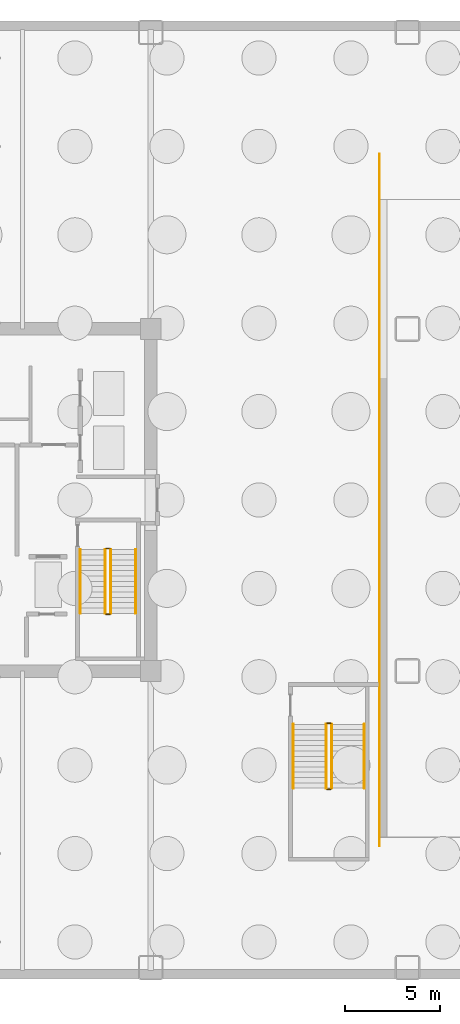
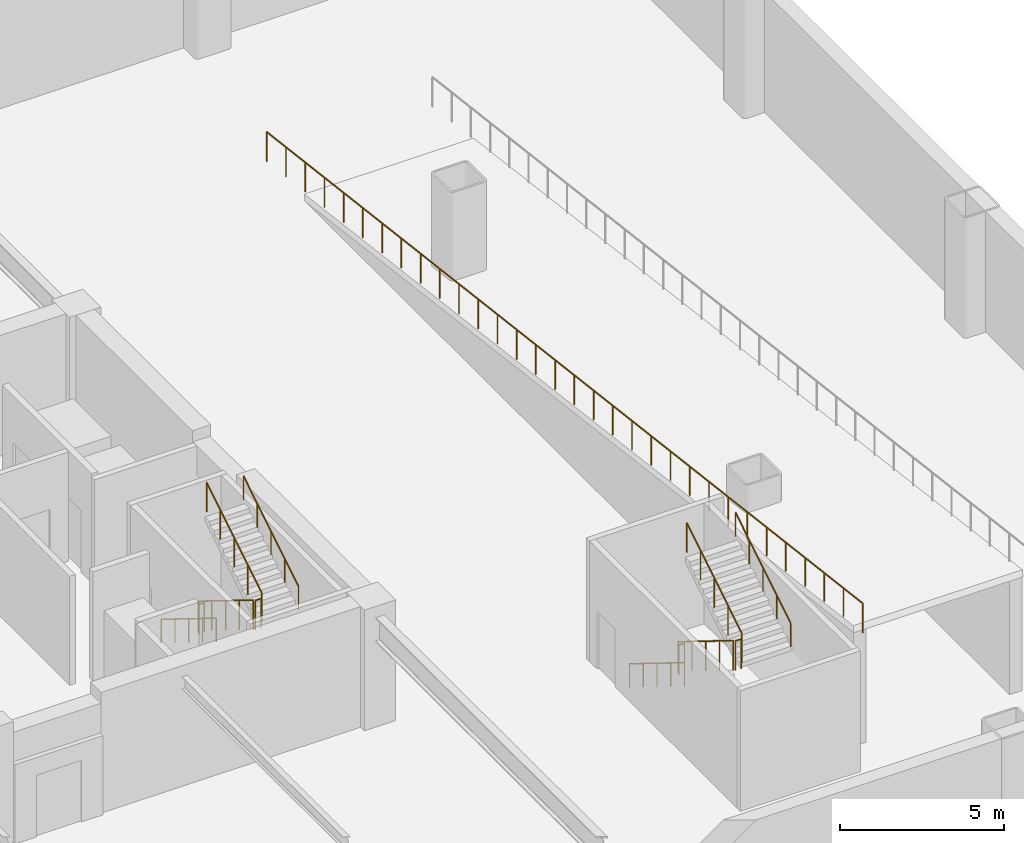
# One storey, part 8 of 11: 13 railings.
"""IFC4 building model written with IfcOpenShell, lengths in metres."""

from ifc_helpers import new_model, si_unit, direction, frame, origin, origin_2d, place, context, subcontext, project, spatial, circle, extrude, material, type_object, element, save


model = new_model("IFC4")

# Units and contexts
model_context = context("Model", 3, precision=1e-05, world=origin(), true_north=direction((0.0, 1.0)))
body_context = subcontext(model_context, "Body", "Model", "MODEL_VIEW")
ifc_project = project(units=[si_unit("LENGTHUNIT", "METRE"), si_unit("AREAUNIT", "SQUARE_METRE"), si_unit("VOLUMEUNIT", "CUBIC_METRE"), si_unit("PLANEANGLEUNIT", "RADIAN"), si_unit("MASSUNIT", "GRAM", prefix="KILO")], contexts=[model_context])

# Site, building, storey
site_placement = place(None, origin())
site = spatial("IfcSite", under=ifc_project, at=site_placement, CompositionType="ELEMENT")
building_placement = place(site_placement, origin())
building = spatial("IfcBuilding", under=site, at=building_placement, Name="Nefas-Gora Pilgrimage Tower", CompositionType="ELEMENT")
storey_placement = place(building_placement, frame((0.0, 0.0, -9.0)))
storey = spatial("IfcBuildingStorey", under=building, at=storey_placement, Name="B02", CompositionType="ELEMENT", Elevation=-9.0)

# Railings
ifc_material_1 = material(Name="Painted galvanised steel", Category="steel")
railing_type_1 = type_object("IfcRailingType", Name="RLG-RMP-1100", PredefinedType="GUARDRAIL", material=ifc_material_1)
railing_1_placement = place(storey_placement, frame((23.280029296875, 18.199951171875, 0.0)))
element("IfcRailing", 1, at=railing_1_placement, inside=storey, type_object=railing_type_1, Name="B02-B01 Sloped Vehicle Ramp Guardrail W", PredefinedType="GUARDRAIL", context=body_context, shape_type="SweptSolid", body=[
    extrude(circle(Radius=0.02392578125, at=origin_2d()), frame((0.0, 0.0, 1.09619140625), z_axis=(0.0, -0.992444713175, 0.122692670082), x_axis=(1.0, 0.0, 0.0)), (0.0, 0.0, 1.0), 36.677001953125),
    extrude(circle(Radius=0.02099609375, at=origin_2d()), origin(), (0.0, 0.0, 1.0), 1.072021484375),
    extrude(circle(Radius=0.02099609375, at=origin_2d()), frame((0.0, -1.174072265625, 0.145263671875)), (0.0, 0.0, 1.0), 1.072021484375),
    extrude(circle(Radius=0.02099609375, at=origin_2d()), frame((0.0, -2.348388671875, 0.290283203125)), (0.0, 0.0, 1.0), 1.072021484375),
    extrude(circle(Radius=0.02099609375, at=origin_2d()), frame((0.0, -3.5224609375, 0.435546875)), (0.0, 0.0, 1.0), 1.072021484375),
    extrude(circle(Radius=0.02099609375, at=origin_2d()), frame((0.0, -4.69677734375, 0.58056640625)), (0.0, 0.0, 1.0), 1.072021484375),
    extrude(circle(Radius=0.02099609375, at=origin_2d()), frame((0.0, -5.870849609375, 0.725830078125)), (0.0, 0.0, 1.0), 1.072021484375),
    extrude(circle(Radius=0.02099609375, at=origin_2d()), frame((0.0, -7.045166015625, 0.870849609375)), (0.0, 0.0, 1.0), 1.072021484375),
    extrude(circle(Radius=0.02099609375, at=origin_2d()), frame((0.0, -8.21923828125, 1.01611328125)), (0.0, 0.0, 1.0), 1.072021484375),
    extrude(circle(Radius=0.02099609375, at=origin_2d()), frame((0.0, -9.3935546875, 1.161376953125)), (0.0, 0.0, 1.0), 1.072021484375),
    extrude(circle(Radius=0.02099609375, at=origin_2d()), frame((0.0, -10.567626953125, 1.306396484375)), (0.0, 0.0, 1.0), 1.072021484375),
    extrude(circle(Radius=0.02099609375, at=origin_2d()), frame((0.0, -11.741943359375, 1.45166015625)), (0.0, 0.0, 1.0), 1.072021484375),
    extrude(circle(Radius=0.02099609375, at=origin_2d()), frame((0.0, -12.916015625, 1.5966796875)), (0.0, 0.0, 1.0), 1.072021484375),
    extrude(circle(Radius=0.02099609375, at=origin_2d()), frame((0.0, -14.09033203125, 1.741943359375)), (0.0, 0.0, 1.0), 1.072021484375),
    extrude(circle(Radius=0.02099609375, at=origin_2d()), frame((0.0, -15.264404296875, 1.88720703125)), (0.0, 0.0, 1.0), 1.072021484375),
    extrude(circle(Radius=0.02099609375, at=origin_2d()), frame((0.0, -16.438720703125, 2.0322265625)), (0.0, 0.0, 1.0), 1.072021484375),
    extrude(circle(Radius=0.02099609375, at=origin_2d()), frame((0.0, -17.61279296875, 2.177490234375)), (0.0, 0.0, 1.0), 1.072021484375),
    extrude(circle(Radius=0.02099609375, at=origin_2d()), frame((0.0, -18.787109375, 2.322509765625)), (0.0, 0.0, 1.0), 1.072021484375),
    extrude(circle(Radius=0.02099609375, at=origin_2d()), frame((0.0, -19.961181640625, 2.4677734375)), (0.0, 0.0, 1.0), 1.072021484375),
    extrude(circle(Radius=0.02099609375, at=origin_2d()), frame((0.0, -21.135498046875, 2.61279296875)), (0.0, 0.0, 1.0), 1.072021484375),
    extrude(circle(Radius=0.02099609375, at=origin_2d()), frame((0.0, -22.3095703125, 2.758056640625)), (0.0, 0.0, 1.0), 1.072021484375),
    extrude(circle(Radius=0.02099609375, at=origin_2d()), frame((0.0, -23.48388671875, 2.9033203125)), (0.0, 0.0, 1.0), 1.072021484375),
    extrude(circle(Radius=0.02099609375, at=origin_2d()), frame((0.0, -24.657958984375, 3.04833984375)), (0.0, 0.0, 1.0), 1.072021484375),
    extrude(circle(Radius=0.02099609375, at=origin_2d()), frame((0.0, -25.832275390625, 3.193603515625)), (0.0, 0.0, 1.0), 1.072021484375),
    extrude(circle(Radius=0.02099609375, at=origin_2d()), frame((0.0, -27.00634765625, 3.338623046875)), (0.0, 0.0, 1.0), 1.072021484375),
    extrude(circle(Radius=0.02099609375, at=origin_2d()), frame((0.0, -28.1806640625, 3.48388671875)), (0.0, 0.0, 1.0), 1.072021484375),
    extrude(circle(Radius=0.02099609375, at=origin_2d()), frame((0.0, -29.354736328125, 3.629150390625)), (0.0, 0.0, 1.0), 1.072021484375),
    extrude(circle(Radius=0.02099609375, at=origin_2d()), frame((0.0, -30.529052734375, 3.774169921875)), (0.0, 0.0, 1.0), 1.072021484375),
    extrude(circle(Radius=0.02099609375, at=origin_2d()), frame((0.0, -31.703125, 3.91943359375)), (0.0, 0.0, 1.0), 1.072021484375),
    extrude(circle(Radius=0.02099609375, at=origin_2d()), frame((0.0, -32.87744140625, 4.064453125)), (0.0, 0.0, 1.0), 1.072021484375),
    extrude(circle(Radius=0.02099609375, at=origin_2d()), frame((0.0, -34.051513671875, 4.209716796875)), (0.0, 0.0, 1.0), 1.072021484375),
    extrude(circle(Radius=0.02099609375, at=origin_2d()), frame((0.0, -35.225830078125, 4.354736328125)), (0.0, 0.0, 1.0), 1.072021484375),
    extrude(circle(Radius=0.02099609375, at=origin_2d()), frame((0.0, -36.39990234375, 4.5)), (0.0, 0.0, 1.0), 1.072021484375),
])
railing_type_2 = type_object("IfcRailingType", Name="RLG-STR-GUARD-1100", PredefinedType="GUARDRAIL", material=ifc_material_1)
railing_2_placement = place(storey_placement, frame((8.85009765625, -2.60009765625, 0.173095703125)))
element("IfcRailing", 2, at=railing_2_placement, inside=storey, type_object=railing_type_2, Name="B02 ST-02 stair guard 1", PredefinedType="GUARDRAIL", context=body_context, shape_type="SweptSolid", body=[
    extrude(circle(Radius=0.02392578125, at=origin_2d()), frame((0.0, 0.0, 1.09619140625), z_axis=(0.0, -0.850606129759, 0.525803396734), x_axis=(1.0, 0.0, 0.0)), (0.0, 0.0, 1.0), 3.949951171875),
    extrude(circle(Radius=0.02099609375, at=origin_2d()), origin(), (0.0, 0.0, 1.0), 1.072021484375),
    extrude(circle(Radius=0.02099609375, at=origin_2d()), frame((0.0, -0.83984375, 0.519287109375)), (0.0, 0.0, 1.0), 1.072021484375),
    extrude(circle(Radius=0.02099609375, at=origin_2d()), frame((0.0, -1.679931640625, 1.03857421875)), (0.0, 0.0, 1.0), 1.072021484375),
    extrude(circle(Radius=0.02099609375, at=origin_2d()), frame((0.0, -2.52001953125, 1.5576171875)), (0.0, 0.0, 1.0), 1.072021484375),
    extrude(circle(Radius=0.02099609375, at=origin_2d()), frame((0.0, -3.35986328125, 2.076904296875)), (0.0, 0.0, 1.0), 1.072021484375),
])
railing_3_placement = place(storey_placement, frame((8.89990234375, -6.010009765625, 2.25)))
element("IfcRailing", 3, at=railing_3_placement, inside=storey, type_object=railing_type_2, Name="B02 ST-02 stair guard 2", PredefinedType="GUARDRAIL", context=body_context, shape_type="SweptSolid", body=[
    extrude(circle(Radius=0.02392578125, at=origin_2d()), frame((0.0, 0.0, 1.09619140625), z_axis=(1.0, 0.0, 0.0), x_axis=(0.0, 1.0, 0.0)), (0.0, 0.0, 1.0), 0.2001953125),
    extrude(circle(Radius=0.02099609375, at=origin_2d()), origin(), (0.0, 0.0, 1.0), 1.072021484375),
    extrude(circle(Radius=0.02099609375, at=origin_2d()), frame((0.2001953125, 0.0, 0.0)), (0.0, 0.0, 1.0), 1.072021484375),
])
railing_4_placement = place(storey_placement, frame((9.14990234375, -5.9599609375, 2.423095703125)))
element("IfcRailing", 4, at=railing_4_placement, inside=storey, type_object=railing_type_2, Name="B02 ST-02 stair guard 3", PredefinedType="GUARDRAIL", context=body_context, shape_type="SweptSolid", body=[
    extrude(circle(Radius=0.02392578125, at=origin_2d()), frame((0.0, 0.0, 1.09619140625), z_axis=(0.0, 0.850606129759, 0.525803396734), x_axis=(-1.0, 0.0, 0.0)), (0.0, 0.0, 1.0), 3.949951171875),
    extrude(circle(Radius=0.02099609375, at=origin_2d()), origin(), (0.0, 0.0, 1.0), 1.072021484375),
    extrude(circle(Radius=0.02099609375, at=origin_2d()), frame((0.0, 0.83984375, 0.519287109375)), (0.0, 0.0, 1.0), 1.072021484375),
    extrude(circle(Radius=0.02099609375, at=origin_2d()), frame((0.0, 1.679931640625, 1.03857421875)), (0.0, 0.0, 1.0), 1.072021484375),
    extrude(circle(Radius=0.02099609375, at=origin_2d()), frame((0.0, 2.52001953125, 1.5576171875)), (0.0, 0.0, 1.0), 1.072021484375),
    extrude(circle(Radius=0.02099609375, at=origin_2d()), frame((0.0, 3.35986328125, 2.076904296875)), (0.0, 0.0, 1.0), 1.072021484375),
])
railing_5_placement = place(storey_placement, frame((8.89990234375, -2.550048828125, 0.0)))
element("IfcRailing", 5, at=railing_5_placement, inside=storey, type_object=railing_type_2, Name="B02 ST-02 stair guard 4", PredefinedType="GUARDRAIL", context=body_context, shape_type="SweptSolid", body=[
    extrude(circle(Radius=0.02392578125, at=origin_2d()), frame((0.0, 0.0, 1.09619140625), z_axis=(1.0, 0.0, 0.0), x_axis=(0.0, 1.0, 0.0)), (0.0, 0.0, 1.0), 0.2001953125),
    extrude(circle(Radius=0.02099609375, at=origin_2d()), origin(), (0.0, 0.0, 1.0), 1.072021484375),
    extrude(circle(Radius=0.02099609375, at=origin_2d()), frame((0.2001953125, 0.0, 0.0)), (0.0, 0.0, 1.0), 1.072021484375),
])
railing_6_placement = place(storey_placement, frame((20.469970703125, -11.800048828125, 0.173095703125)))
element("IfcRailing", 6, at=railing_6_placement, inside=storey, type_object=railing_type_2, Name="B02 ST-06 stair guard 1", PredefinedType="GUARDRAIL", context=body_context, shape_type="SweptSolid", body=[
    extrude(circle(Radius=0.02392578125, at=origin_2d()), frame((0.0, 0.0, 1.09619140625), z_axis=(0.0, -0.850606129759, 0.525803396734), x_axis=(1.0, 0.0, 0.0)), (0.0, 0.0, 1.0), 3.949951171875),
    extrude(circle(Radius=0.02099609375, at=origin_2d()), origin(), (0.0, 0.0, 1.0), 1.072021484375),
    extrude(circle(Radius=0.02099609375, at=origin_2d()), frame((0.0, -0.83984375, 0.519287109375)), (0.0, 0.0, 1.0), 1.072021484375),
    extrude(circle(Radius=0.02099609375, at=origin_2d()), frame((0.0, -1.679931640625, 1.03857421875)), (0.0, 0.0, 1.0), 1.072021484375),
    extrude(circle(Radius=0.02099609375, at=origin_2d()), frame((0.0, -2.52001953125, 1.5576171875)), (0.0, 0.0, 1.0), 1.072021484375),
    extrude(circle(Radius=0.02099609375, at=origin_2d()), frame((0.0, -3.35986328125, 2.076904296875)), (0.0, 0.0, 1.0), 1.072021484375),
])
railing_7_placement = place(storey_placement, frame((20.52001953125, -15.2099609375, 2.25)))
element("IfcRailing", 7, at=railing_7_placement, inside=storey, type_object=railing_type_2, Name="B02 ST-06 stair guard 2", PredefinedType="GUARDRAIL", context=body_context, shape_type="SweptSolid", body=[
    extrude(circle(Radius=0.02392578125, at=origin_2d()), frame((0.0, 0.0, 1.09619140625), z_axis=(1.0, 0.0, 0.0), x_axis=(0.0, 1.0, 0.0)), (0.0, 0.0, 1.0), 0.199951171875),
    extrude(circle(Radius=0.02099609375, at=origin_2d()), origin(), (0.0, 0.0, 1.0), 1.072021484375),
    extrude(circle(Radius=0.02099609375, at=origin_2d()), frame((0.199951171875, 0.0, 0.0)), (0.0, 0.0, 1.0), 1.072021484375),
])
railing_8_placement = place(storey_placement, frame((20.77001953125, -15.159912109375, 2.423095703125)))
element("IfcRailing", 8, at=railing_8_placement, inside=storey, type_object=railing_type_2, Name="B02 ST-06 stair guard 3", PredefinedType="GUARDRAIL", context=body_context, shape_type="SweptSolid", body=[
    extrude(circle(Radius=0.02392578125, at=origin_2d()), frame((0.0, 0.0, 1.09619140625), z_axis=(0.0, 0.850606129759, 0.525803396734), x_axis=(-1.0, 0.0, 0.0)), (0.0, 0.0, 1.0), 3.949951171875),
    extrude(circle(Radius=0.02099609375, at=origin_2d()), origin(), (0.0, 0.0, 1.0), 1.072021484375),
    extrude(circle(Radius=0.02099609375, at=origin_2d()), frame((0.0, 0.83984375, 0.519287109375)), (0.0, 0.0, 1.0), 1.072021484375),
    extrude(circle(Radius=0.02099609375, at=origin_2d()), frame((0.0, 1.679931640625, 1.03857421875)), (0.0, 0.0, 1.0), 1.072021484375),
    extrude(circle(Radius=0.02099609375, at=origin_2d()), frame((0.0, 2.52001953125, 1.5576171875)), (0.0, 0.0, 1.0), 1.072021484375),
    extrude(circle(Radius=0.02099609375, at=origin_2d()), frame((0.0, 3.35986328125, 2.076904296875)), (0.0, 0.0, 1.0), 1.072021484375),
])
railing_9_placement = place(storey_placement, frame((20.52001953125, -11.75, 0.0)))
element("IfcRailing", 9, at=railing_9_placement, inside=storey, type_object=railing_type_2, Name="B02 ST-06 stair guard 4", PredefinedType="GUARDRAIL", context=body_context, shape_type="SweptSolid", body=[
    extrude(circle(Radius=0.02392578125, at=origin_2d()), frame((0.0, 0.0, 1.09619140625), z_axis=(1.0, 0.0, 0.0), x_axis=(0.0, 1.0, 0.0)), (0.0, 0.0, 1.0), 0.199951171875),
    extrude(circle(Radius=0.02099609375, at=origin_2d()), origin(), (0.0, 0.0, 1.0), 1.072021484375),
    extrude(circle(Radius=0.02099609375, at=origin_2d()), frame((0.199951171875, 0.0, 0.0)), (0.0, 0.0, 1.0), 1.072021484375),
])
ifc_material_2 = material(Name="Brushed stainless steel", Category="steel")
railing_type_3 = type_object("IfcRailingType", Name="RLG-STR-HAND-900", PredefinedType="HANDRAIL", material=ifc_material_2)
railing_10_placement = place(storey_placement, frame((7.550048828125, -2.60009765625, 0.173095703125)))
element("IfcRailing", 10, at=railing_10_placement, inside=storey, type_object=railing_type_3, Name="B02 ST-02 stair handrail 1", PredefinedType="HANDRAIL", context=body_context, shape_type="SweptSolid", body=[
    extrude(circle(Radius=0.02392578125, at=origin_2d()), frame((0.0, 0.0, 0.8759765625), z_axis=(0.0, -0.850606129759, 0.525803396734), x_axis=(1.0, 0.0, 0.0)), (0.0, 0.0, 1.0), 3.949951171875),
    extrude(circle(Radius=0.02099609375, at=origin_2d()), origin(), (0.0, 0.0, 1.0), 0.851806640625),
    extrude(circle(Radius=0.02099609375, at=origin_2d()), frame((0.0, -0.83984375, 0.519287109375)), (0.0, 0.0, 1.0), 0.851806640625),
    extrude(circle(Radius=0.02099609375, at=origin_2d()), frame((0.0, -1.679931640625, 1.03857421875)), (0.0, 0.0, 1.0), 0.851806640625),
    extrude(circle(Radius=0.02099609375, at=origin_2d()), frame((0.0, -2.52001953125, 1.5576171875)), (0.0, 0.0, 1.0), 0.851806640625),
    extrude(circle(Radius=0.02099609375, at=origin_2d()), frame((0.0, -3.35986328125, 2.076904296875)), (0.0, 0.0, 1.0), 0.851806640625),
])
railing_11_placement = place(storey_placement, frame((10.449951171875, -5.9599609375, 2.423095703125)))
element("IfcRailing", 11, at=railing_11_placement, inside=storey, type_object=railing_type_3, Name="B02 ST-02 stair handrail 2", PredefinedType="HANDRAIL", context=body_context, shape_type="SweptSolid", body=[
    extrude(circle(Radius=0.02392578125, at=origin_2d()), frame((0.0, 0.0, 0.8759765625), z_axis=(0.0, 0.850606129759, 0.525803396734), x_axis=(-1.0, 0.0, 0.0)), (0.0, 0.0, 1.0), 3.949951171875),
    extrude(circle(Radius=0.02099609375, at=origin_2d()), origin(), (0.0, 0.0, 1.0), 0.851806640625),
    extrude(circle(Radius=0.02099609375, at=origin_2d()), frame((0.0, 0.83984375, 0.519287109375)), (0.0, 0.0, 1.0), 0.851806640625),
    extrude(circle(Radius=0.02099609375, at=origin_2d()), frame((0.0, 1.679931640625, 1.03857421875)), (0.0, 0.0, 1.0), 0.851806640625),
    extrude(circle(Radius=0.02099609375, at=origin_2d()), frame((0.0, 2.52001953125, 1.5576171875)), (0.0, 0.0, 1.0), 0.851806640625),
    extrude(circle(Radius=0.02099609375, at=origin_2d()), frame((0.0, 3.35986328125, 2.076904296875)), (0.0, 0.0, 1.0), 0.851806640625),
])
railing_12_placement = place(storey_placement, frame((18.75, -11.800048828125, 0.173095703125)))
element("IfcRailing", 12, at=railing_12_placement, inside=storey, type_object=railing_type_3, Name="B02 ST-06 stair handrail 1", PredefinedType="HANDRAIL", context=body_context, shape_type="SweptSolid", body=[
    extrude(circle(Radius=0.02392578125, at=origin_2d()), frame((0.0, 0.0, 0.8759765625), z_axis=(0.0, -0.850606129759, 0.525803396734), x_axis=(1.0, 0.0, 0.0)), (0.0, 0.0, 1.0), 3.949951171875),
    extrude(circle(Radius=0.02099609375, at=origin_2d()), origin(), (0.0, 0.0, 1.0), 0.851806640625),
    extrude(circle(Radius=0.02099609375, at=origin_2d()), frame((0.0, -0.83984375, 0.519287109375)), (0.0, 0.0, 1.0), 0.851806640625),
    extrude(circle(Radius=0.02099609375, at=origin_2d()), frame((0.0, -1.679931640625, 1.03857421875)), (0.0, 0.0, 1.0), 0.851806640625),
    extrude(circle(Radius=0.02099609375, at=origin_2d()), frame((0.0, -2.52001953125, 1.5576171875)), (0.0, 0.0, 1.0), 0.851806640625),
    extrude(circle(Radius=0.02099609375, at=origin_2d()), frame((0.0, -3.35986328125, 2.076904296875)), (0.0, 0.0, 1.0), 0.851806640625),
])
railing_13_placement = place(storey_placement, frame((22.489990234375, -15.159912109375, 2.423095703125)))
element("IfcRailing", 13, at=railing_13_placement, inside=storey, type_object=railing_type_3, Name="B02 ST-06 stair handrail 2", PredefinedType="HANDRAIL", context=body_context, shape_type="SweptSolid", body=[
    extrude(circle(Radius=0.02392578125, at=origin_2d()), frame((0.0, 0.0, 0.8759765625), z_axis=(0.0, 0.850606129759, 0.525803396734), x_axis=(-1.0, 0.0, 0.0)), (0.0, 0.0, 1.0), 3.949951171875),
    extrude(circle(Radius=0.02099609375, at=origin_2d()), origin(), (0.0, 0.0, 1.0), 0.851806640625),
    extrude(circle(Radius=0.02099609375, at=origin_2d()), frame((0.0, 0.83984375, 0.519287109375)), (0.0, 0.0, 1.0), 0.851806640625),
    extrude(circle(Radius=0.02099609375, at=origin_2d()), frame((0.0, 1.679931640625, 1.03857421875)), (0.0, 0.0, 1.0), 0.851806640625),
    extrude(circle(Radius=0.02099609375, at=origin_2d()), frame((0.0, 2.52001953125, 1.5576171875)), (0.0, 0.0, 1.0), 0.851806640625),
    extrude(circle(Radius=0.02099609375, at=origin_2d()), frame((0.0, 3.35986328125, 2.076904296875)), (0.0, 0.0, 1.0), 0.851806640625),
])

save(model, "model.ifc")
